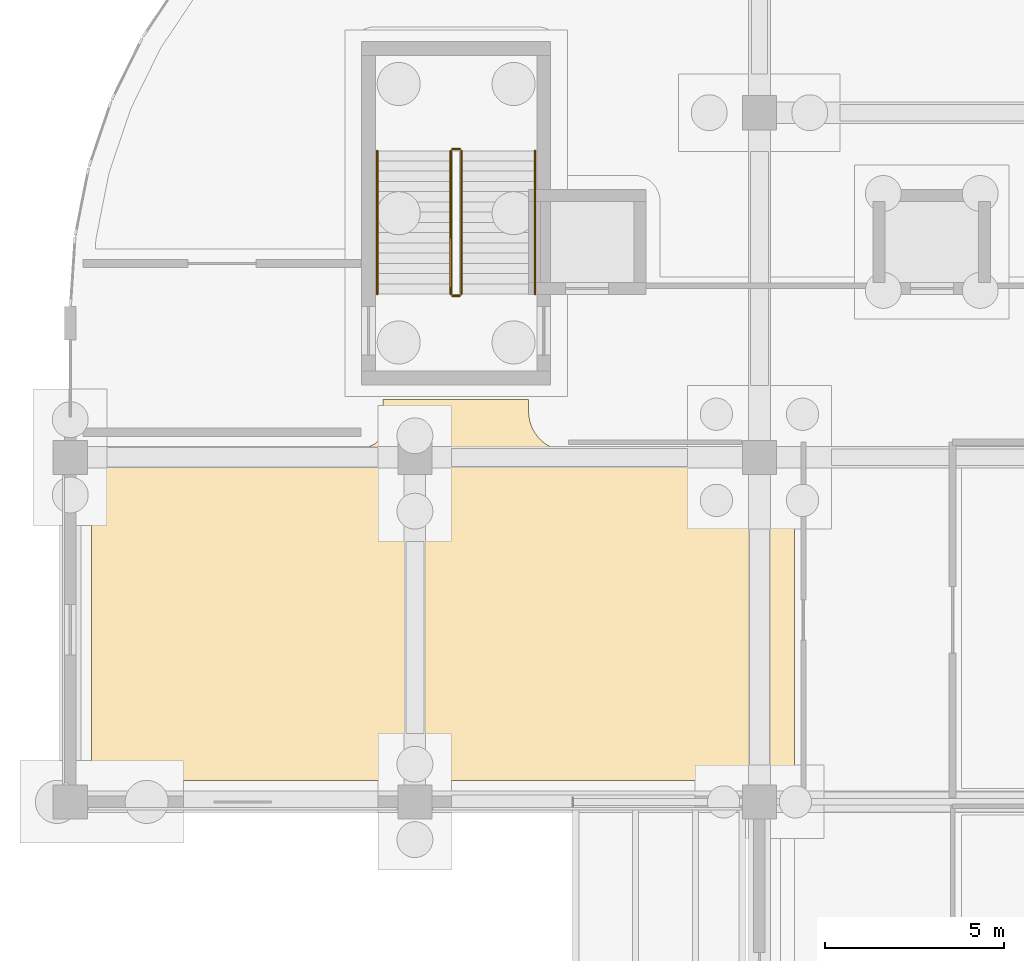
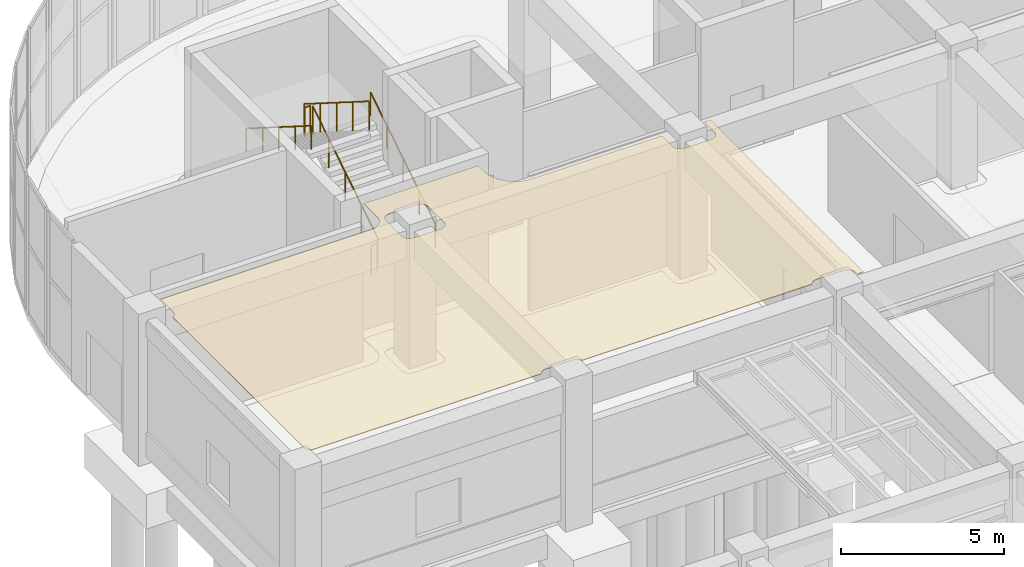
# One storey, part 62 of 74: 6 railings, 1 covering.
"""IFC4 building model written with IfcOpenShell, lengths in metres."""

import ifcopenshell
import ifcopenshell.guid

model = None  # the IFC model being written
_history = None  # IfcOwnerHistory: only IFC2X3 demands one
_inside = {}  # id of a spatial element -> (the spatial element, [elements in it])
_under = {}  # id of a project, library or spatial element -> (it, [spatial elements below it])
_declared = {}  # id of a project -> (the project, [libraries it declares])
_typed = {}  # id of a type object -> (the type object, [elements of that type])
_made_of = {}  # id of a material, layer set ... -> (it, [elements and type objects made of it])


def new_model(schema):
    """Start an empty IFC model of exactly this schema.

    Asked for "IFC4X3", IfcOpenShell would pick the latest addendum, in which some entities
    have other attributes; the version numbers below select the first issue.
    IFC2X3 requires an IfcOwnerHistory on every rooted entity: one is made here for all.
    """
    global model, _history
    if schema == "IFC4X3":
        model = ifcopenshell.file(schema_version=(4, 3, 0, 0))
    else:
        model = ifcopenshell.file(schema=schema)
    _inside.clear()
    _under.clear()
    _declared.clear()
    _typed.clear()
    _made_of.clear()
    _history = None
    if model.schema == "IFC2X3":
        org = make("IfcOrganization", Name="unknown")
        user = make(
            "IfcPersonAndOrganization",
            ThePerson=make("IfcPerson", FamilyName="unknown"),
            TheOrganization=org,
        )
        app = make(
            "IfcApplication",
            ApplicationDeveloper=org,
            Version="unknown",
            ApplicationFullName="unknown",
            ApplicationIdentifier="unknown",
        )
        _history = make(
            "IfcOwnerHistory",
            OwningUser=user,
            OwningApplication=app,
            ChangeAction="ADDED",
            CreationDate=0,
        )
    return model


def make(cls, **values):
    """One entity of the class cls with the attributes given. An attribute that is None is left unset."""
    return model.create_entity(
        cls, **{name: value for name, value in values.items() if value is not None}
    )


def rooted(cls, **values):
    """An entity with a GlobalId (a new one), such as an element, a storey or a relation."""
    return make(cls, GlobalId=ifcopenshell.guid.new(), OwnerHistory=_history, **values)


def si_unit(unit_type, name, prefix=None):
    """IfcSIUnit, for example si_unit("LENGTHUNIT", "METRE", prefix="MILLI")."""
    return make("IfcSIUnit", UnitType=unit_type, Prefix=prefix, Name=name)


def assignment(units):
    """IfcUnitAssignment: the units of a project."""
    return None if units is None else make("IfcUnitAssignment", Units=units)


def point(xyz):
    """IfcCartesianPoint."""
    return None if xyz is None else make("IfcCartesianPoint", Coordinates=xyz)


def direction(xyz):
    """IfcDirection."""
    return None if xyz is None else make("IfcDirection", DirectionRatios=xyz)


def frame(location, z_axis=None, x_axis=None):
    """IfcAxis2Placement3D, a coordinate frame: its origin and axes. An axis left out is left unset."""
    return make(
        "IfcAxis2Placement3D",
        Location=point(location),
        Axis=direction(z_axis),
        RefDirection=direction(x_axis),
    )


def frame_2d(location, x_axis=None):
    """IfcAxis2Placement2D, a coordinate frame in the plane: its origin and x axis."""
    return make(
        "IfcAxis2Placement2D", Location=point(location), RefDirection=direction(x_axis)
    )


def origin():
    """The frame at (0, 0, 0) with its axes left unset."""
    return frame((0.0, 0.0, 0.0))


def origin_2d():
    """The frame at (0, 0) in the plane with its x axis left unset."""
    return frame_2d((0.0, 0.0))


def place(relative_to, where):
    """IfcLocalPlacement: puts the frame where relative to a parent placement (None: the world)."""
    return make(
        "IfcLocalPlacement", PlacementRelTo=relative_to, RelativePlacement=where
    )


def context(
    kind, dimensions, precision=None, world=None, true_north=None, identifier=None
):
    """IfcGeometricRepresentationContext, for example the 3D "Model" context."""
    return make(
        "IfcGeometricRepresentationContext",
        ContextIdentifier=identifier,
        ContextType=kind,
        CoordinateSpaceDimension=dimensions,
        Precision=precision,
        WorldCoordinateSystem=world,
        TrueNorth=true_north,
    )


def subcontext(parent, identifier, kind, view, scale=None):
    """IfcGeometricRepresentationSubContext, for example "Body" below "Model"."""
    return make(
        "IfcGeometricRepresentationSubContext",
        ContextIdentifier=identifier,
        ContextType=kind,
        ParentContext=parent,
        TargetScale=scale,
        TargetView=view,
    )


def project(units=None, contexts=None):
    """IfcProject with its units and contexts."""
    return rooted(
        "IfcProject",
        Name="project",
        RepresentationContexts=contexts,
        UnitsInContext=assignment(units),
    )


def spatial(cls, under=None, at=None, **own):
    """A site, building, storey or space (cls), placed at a placement, below another one or the project."""
    s = rooted(cls, ObjectPlacement=at, **own)
    if under is not None:
        _under.setdefault(under.id(), (under, []))[1].append(s)
    return s


def polyline(points):
    """IfcPolyline through the points."""
    return make("IfcPolyline", Points=[point(p) for p in points])


def profile(cls, at=None, kind="AREA", **sizes):
    """A parametric profile (cls). Its sizes go by their IFC names, for example OverallWidth=200.0."""
    return make(cls, ProfileType=kind, Position=at, **sizes)


def circle(**sizes):
    """IfcCircleProfileDef."""
    return profile("IfcCircleProfileDef", **sizes)


def outline(outer, holes=None, kind="AREA"):
    """IfcArbitraryClosedProfileDef: a profile drawn as a closed curve; with holes, ...WithVoids."""
    if holes is None:
        return make("IfcArbitraryClosedProfileDef", ProfileType=kind, OuterCurve=outer)
    return make(
        "IfcArbitraryProfileDefWithVoids",
        ProfileType=kind,
        OuterCurve=outer,
        InnerCurves=holes,
    )


def extrude(swept, where, along, depth):
    """IfcExtrudedAreaSolid: the profile swept, set in the frame where, extruded along a direction by depth."""
    return make(
        "IfcExtrudedAreaSolid",
        SweptArea=swept,
        Position=where,
        ExtrudedDirection=direction(along),
        Depth=depth,
    )


def shape(context_of_items, identifier, shape_type, items):
    """IfcShapeRepresentation: the items that make up one representation, for example the "Body"."""
    return make(
        "IfcShapeRepresentation",
        ContextOfItems=context_of_items,
        RepresentationIdentifier=identifier,
        RepresentationType=shape_type,
        Items=items,
    )


def material(Name=None, Category=None):
    """IfcMaterial."""
    return make("IfcMaterial", Name=Name, Category=Category)


def layer(
    of_material, thickness, ventilated=None, Name=None, Category=None, Priority=None
):
    """IfcMaterialLayer: one layer of a wall or slab, of a material (None: an air gap)."""
    return make(
        "IfcMaterialLayer",
        Material=of_material,
        LayerThickness=thickness,
        IsVentilated=ventilated,
        Name=Name,
        Category=Category,
        Priority=Priority,
    )


def layer_set(layers, Name=None):
    """IfcMaterialLayerSet."""
    return make("IfcMaterialLayerSet", MaterialLayers=layers, LayerSetName=Name)


def made_of(thing, what):
    """Note that an element or type object is made of a material, layer set ...; save() writes the relation."""
    if what is not None:
        _made_of.setdefault(what.id(), (what, []))[1].append(thing)
    return thing


def type_object(cls, material=None, **own):
    """A type object (cls), such as IfcWallType, which elements share."""
    return made_of(rooted(cls, **own), material)


def element(
    cls,
    number,
    at=None,
    inside=None,
    cuts=None,
    type_object=None,
    material=None,
    context=None,
    identifier="Body",
    shape_type=None,
    held_by="IfcProductDefinitionShape",
    body=None,
    shapes=None,
    **own,
):
    """One element of the class cls, such as IfcWall. Its Tag is "e" and its number.

    at: its placement. inside: the storey or other place that contains it. cuts: it is an
    opening in that element (IfcRelVoidsElement). A single representation is given by context,
    identifier, shape_type and body (its items); several are given by shapes. held_by: the class
    of the entity that holds the representations. save() writes the other relations.
    """
    e = rooted(cls, Tag="e%d" % number, ObjectPlacement=at, **own)
    if body is not None:
        shapes = [shape(context, identifier, shape_type, body)]
    if shapes is not None:
        e.Representation = make(held_by, Representations=shapes)
    if inside is not None:
        _inside.setdefault(inside.id(), (inside, []))[1].append(e)
    if cuts is not None:
        rooted(
            "IfcRelVoidsElement", RelatingBuildingElement=cuts, RelatedOpeningElement=e
        )
    if type_object is not None:
        _typed.setdefault(type_object.id(), (type_object, []))[1].append(e)
    return made_of(e, material)


def aggregate(whole, parts):
    """IfcRelAggregates: a whole, such as a stair, and the parts it consists of."""
    return rooted("IfcRelAggregates", RelatingObject=whole, RelatedObjects=parts)


def save(model, path):
    """Write the relations noted so far, then the file.

    IfcRelAggregates (storeys below a building ...), IfcRelContainedInSpatialStructure (elements
    in a storey), IfcRelDefinesByType, IfcRelAssociatesMaterial and IfcRelDeclares: one each for
    every whole, place, type object, material and project.
    """
    for whole, parts in _under.values():
        aggregate(whole, parts)
    for where, things in _inside.values():
        rooted(
            "IfcRelContainedInSpatialStructure",
            RelatedElements=things,
            RelatingStructure=where,
        )
    for kind, things in _typed.values():
        rooted("IfcRelDefinesByType", RelatedObjects=things, RelatingType=kind)
    for what, things in _made_of.values():
        rooted("IfcRelAssociatesMaterial", RelatedObjects=things, RelatingMaterial=what)
    for by, libraries in _declared.values():
        rooted("IfcRelDeclares", RelatingContext=by, RelatedDefinitions=libraries)
    model.write(path)


model = new_model("IFC4")

# Units and contexts
model_context = context("Model", 3, precision=1e-05, world=origin(), true_north=direction((0.0, 1.0)))
body_context = subcontext(model_context, "Body", "Model", "MODEL_VIEW")
ifc_project = project(units=[si_unit("LENGTHUNIT", "METRE"), si_unit("AREAUNIT", "SQUARE_METRE"), si_unit("VOLUMEUNIT", "CUBIC_METRE"), si_unit("PLANEANGLEUNIT", "RADIAN"), si_unit("MASSUNIT", "GRAM", prefix="KILO")], contexts=[model_context])

# Site, building, storey
site_placement = place(None, origin())
site = spatial("IfcSite", under=ifc_project, at=site_placement, CompositionType="ELEMENT")
building_placement = place(site_placement, origin())
building = spatial("IfcBuilding", under=site, at=building_placement, Name="Cendralis Terraced Arcade", CompositionType="ELEMENT")
storey_placement = place(building_placement, origin())
storey = spatial("IfcBuildingStorey", under=building, at=storey_placement, Name="L00", CompositionType="ELEMENT", Elevation=0.0)

# Covering
ifc_material_1 = material(Name="Gypsum plasterboard acoustic partition")
ifc_layer = layer(ifc_material_1, 0.02490234375, Name="COV-CEIL-ACOU-25")
ifc_layer_set = layer_set([ifc_layer], Name="Gypsum plasterboard acoustic partition")
covering_type = type_object("IfcCoveringType", Name="COV-CEIL-ACOU-25", PredefinedType="CEILING", material=ifc_layer_set)
covering_placement = place(storey_placement, frame((0.0, 0.0, 5.06494140625)))
element("IfcCovering", 1, at=covering_placement, inside=storey, type_object=covering_type, Name="Acoustic Soffit Ceiling L00-036", PredefinedType="CEILING", context=body_context, shape_type="SweptSolid", body=[
    extrude(outline(polyline([(0.590087890625, 68.880615234375), (0.59130859375, 68.88134765625), (0.613037109375, 68.892822265625), (0.614501953125, 68.893798828125), (0.635009765625, 68.90771484375), (0.63671875, 68.90869140625), (0.655517578125, 68.92431640625), (0.656982421875, 68.925537109375), (0.67431640625, 68.943115234375), (0.67578125, 68.9443359375), (0.69140625, 68.96337890625), (0.6923828125, 68.965087890625), (0.7060546875, 68.9853515625), (0.70703125, 68.987060546875), (0.718505859375, 69.0087890625), (0.719482421875, 69.010498046875), (0.72900390625, 69.033203125), (0.7294921875, 69.034912109375), (0.736572265625, 69.058349609375), (0.737060546875, 69.060302734375), (0.741943359375, 69.08447265625), (0.7421875, 69.08642578125), (0.74462890625, 69.11083984375), (0.74462890625, 69.11279296875), (0.7451171875, 69.125), (0.7451171875, 69.889892578125), (8.199951171875, 69.889892578125), (8.2060546875, 69.89013671875), (8.2119140625, 69.89013671875), (8.21826171875, 69.890380859375), (8.23193359375, 69.89111328125), (8.244140625, 69.89208984375), (8.255859375, 69.893310546875), (8.26806640625, 69.894775390625), (8.281494140625, 69.896728515625), (8.293701171875, 69.898681640625), (8.30517578125, 69.901123046875), (8.317138671875, 69.90380859375), (8.33056640625, 69.906982421875), (8.34228515625, 69.910400390625), (8.353515625, 69.913818359375), (8.365234375, 69.917724609375), (8.378173828125, 69.92236328125), (8.3896484375, 69.9267578125), (8.400634765625, 69.93115234375), (8.411865234375, 69.936279296875), (8.42431640625, 69.942138671875), (8.435302734375, 69.947509765625), (8.445556640625, 69.953125), (8.456298828125, 69.959228515625), (8.468017578125, 69.96630859375), (8.478515625, 69.972900390625), (8.48828125, 69.979248046875), (8.498291015625, 69.986328125), (8.50927734375, 69.99462890625), (8.518798828125, 70.002197265625), (8.528076171875, 70.009521484375), (8.537353515625, 70.017578125), (8.547607421875, 70.02685546875), (8.556396484375, 70.035400390625), (8.564697265625, 70.043701171875), (8.572998046875, 70.052490234375), (8.58251953125, 70.062744140625), (8.59033203125, 70.072021484375), (8.597900390625, 70.0810546875), (8.60546875, 70.0908203125), (8.613525390625, 70.101806640625), (8.62060546875, 70.11181640625), (8.627197265625, 70.12158203125), (8.6337890625, 70.132080078125), (8.640869140625, 70.143798828125), (8.64697265625, 70.154541015625), (8.65234375, 70.164794921875), (8.657958984375, 70.17578125), (8.663818359375, 70.188232421875), (8.668701171875, 70.199462890625), (8.67333984375, 70.210205078125), (8.677734375, 70.2216796875), (8.682373046875, 70.234619140625), (8.686279296875, 70.246337890625), (8.689697265625, 70.257568359375), (8.69287109375, 70.26953125), (8.6962890625, 70.28271484375), (8.698974609375, 70.294921875), (8.701171875, 70.306396484375), (8.703369140625, 70.318359375), (8.705322265625, 70.33203125), (8.706787109375, 70.34423828125), (8.7080078125, 70.35595703125), (8.708984375, 70.3681640625), (8.709716796875, 70.3818359375), (8.709716796875, 70.387939453125), (8.7099609375, 70.393798828125), (8.7099609375, 70.39990234375), (8.7099609375, 71.2099609375), (12.77001953125, 71.2099609375), (12.77001953125, 70.8798828125), (12.77001953125, 70.876953125), (12.77001953125, 70.8740234375), (12.77001953125, 70.870849609375), (12.770263671875, 70.864990234375), (12.7705078125, 70.862060546875), (12.7705078125, 70.85888671875), (12.7705078125, 70.85595703125), (12.773681640625, 70.795166015625), (12.77392578125, 70.7890625), (12.7744140625, 70.783203125), (12.77490234375, 70.777099609375), (12.776123046875, 70.765380859375), (12.776611328125, 70.75927734375), (12.777587890625, 70.75341796875), (12.7783203125, 70.747314453125), (12.787109375, 70.68701171875), (12.7880859375, 70.68115234375), (12.789306640625, 70.67529296875), (12.790283203125, 70.669189453125), (12.79248046875, 70.65771484375), (12.7939453125, 70.651611328125), (12.795166015625, 70.64599609375), (12.796630859375, 70.639892578125), (12.811279296875, 70.5810546875), (12.81298828125, 70.574951171875), (12.814453125, 70.5693359375), (12.816162109375, 70.5634765625), (12.819580078125, 70.55224609375), (12.821533203125, 70.54638671875), (12.8232421875, 70.540771484375), (12.8251953125, 70.534912109375), (12.845703125, 70.477783203125), (12.847900390625, 70.471923828125), (12.85009765625, 70.46630859375), (12.852294921875, 70.460693359375), (12.85693359375, 70.44970703125), (12.859375, 70.444091796875), (12.86181640625, 70.438720703125), (12.8642578125, 70.43310546875), (12.890380859375, 70.378173828125), (12.892822265625, 70.372802734375), (12.8955078125, 70.367431640625), (12.8984375, 70.362060546875), (12.904052734375, 70.3515625), (12.906982421875, 70.34619140625), (12.909912109375, 70.341064453125), (12.912841796875, 70.335693359375), (12.944091796875, 70.28369140625), (12.947509765625, 70.2783203125), (12.95068359375, 70.2734375), (12.953857421875, 70.268310546875), (12.96044921875, 70.258544921875), (12.9638671875, 70.25341796875), (12.96728515625, 70.24853515625), (12.970947265625, 70.24365234375), (13.007080078125, 70.19482421875), (13.010986328125, 70.18994140625), (13.014404296875, 70.185302734375), (13.018310546875, 70.180419921875), (13.02587890625, 70.17138671875), (13.02978515625, 70.166748046875), (13.03369140625, 70.162109375), (13.03759765625, 70.15771484375), (13.07861328125, 70.112548828125), (13.082763671875, 70.10791015625), (13.0869140625, 70.103759765625), (13.091064453125, 70.099365234375), (13.099365234375, 70.091064453125), (13.103759765625, 70.0869140625), (13.10791015625, 70.082763671875), (13.112548828125, 70.07861328125), (13.15771484375, 70.03759765625), (13.162109375, 70.03369140625), (13.166748046875, 70.02978515625), (13.17138671875, 70.02587890625), (13.180419921875, 70.018310546875), (13.185302734375, 70.014404296875), (13.18994140625, 70.010986328125), (13.19482421875, 70.007080078125), (13.24365234375, 69.970947265625), (13.24853515625, 69.96728515625), (13.25341796875, 69.9638671875), (13.258544921875, 69.96044921875), (13.268310546875, 69.953857421875), (13.2734375, 69.95068359375), (13.2783203125, 69.947509765625), (13.28369140625, 69.944091796875), (13.335693359375, 69.912841796875), (13.341064453125, 69.909912109375), (13.34619140625, 69.906982421875), (13.3515625, 69.904052734375), (13.362060546875, 69.8984375), (13.367431640625, 69.8955078125), (13.372802734375, 69.892822265625), (13.378173828125, 69.890380859375), (13.43310546875, 69.8642578125), (13.438720703125, 69.86181640625), (13.444091796875, 69.859375), (13.44970703125, 69.85693359375), (13.460693359375, 69.852294921875), (13.46630859375, 69.85009765625), (13.471923828125, 69.847900390625), (13.477783203125, 69.845703125), (13.534912109375, 69.8251953125), (13.540771484375, 69.8232421875), (13.54638671875, 69.821533203125), (13.55224609375, 69.819580078125), (13.5634765625, 69.816162109375), (13.5693359375, 69.814453125), (13.574951171875, 69.81298828125), (13.5810546875, 69.811279296875), (13.639892578125, 69.796630859375), (13.64599609375, 69.795166015625), (13.651611328125, 69.7939453125), (13.65771484375, 69.79248046875), (13.669189453125, 69.790283203125), (13.67529296875, 69.789306640625), (13.68115234375, 69.7880859375), (13.68701171875, 69.787109375), (13.747314453125, 69.7783203125), (13.75341796875, 69.777587890625), (13.75927734375, 69.776611328125), (13.765380859375, 69.776123046875), (13.777099609375, 69.77490234375), (13.783203125, 69.7744140625), (13.7890625, 69.77392578125), (13.795166015625, 69.773681640625), (13.85595703125, 69.7705078125), (13.85888671875, 69.7705078125), (13.862060546875, 69.7705078125), (13.864990234375, 69.770263671875), (13.870849609375, 69.77001953125), (13.8740234375, 69.77001953125), (13.876953125, 69.77001953125), (13.8798828125, 69.77001953125), (18.455078125, 69.77001953125), (18.455078125, 69.125), (18.455322265625, 69.11279296875), (18.455322265625, 69.11083984375), (18.457763671875, 69.08642578125), (18.4580078125, 69.08447265625), (18.462890625, 69.060302734375), (18.46337890625, 69.058349609375), (18.470458984375, 69.034912109375), (18.47119140625, 69.033203125), (18.48046875, 69.010498046875), (18.4814453125, 69.0087890625), (18.492919921875, 68.987060546875), (18.493896484375, 68.9853515625), (18.507568359375, 68.965087890625), (18.5087890625, 68.96337890625), (18.5244140625, 68.9443359375), (18.525634765625, 68.943115234375), (18.54296875, 68.925537109375), (18.54443359375, 68.92431640625), (18.5634765625, 68.90869140625), (18.56494140625, 68.90771484375), (18.58544921875, 68.893798828125), (18.5869140625, 68.892822265625), (18.608642578125, 68.88134765625), (18.610595703125, 68.880615234375), (18.633056640625, 68.87109375), (18.635009765625, 68.87060546875), (18.658447265625, 68.86328125), (18.660400390625, 68.86279296875), (18.684326171875, 68.858154296875), (18.686279296875, 68.85791015625), (18.710693359375, 68.85546875), (18.712646484375, 68.855224609375), (18.72509765625, 68.85498046875), (19.675048828125, 68.85498046875), (19.687255859375, 68.855224609375), (19.689208984375, 68.85546875), (19.713623046875, 68.85791015625), (19.715576171875, 68.858154296875), (19.739501953125, 68.86279296875), (19.74169921875, 68.86328125), (19.764892578125, 68.87060546875), (19.766845703125, 68.87109375), (19.78955078125, 68.880615234375), (19.791259765625, 68.88134765625), (19.81298828125, 68.892822265625), (19.814697265625, 68.893798828125), (19.8349609375, 68.90771484375), (19.836669921875, 68.90869140625), (19.855712890625, 68.92431640625), (19.85693359375, 68.925537109375), (19.87451171875, 68.943115234375), (19.875732421875, 68.9443359375), (19.891357421875, 68.96337890625), (19.892333984375, 68.965087890625), (19.906005859375, 68.9853515625), (19.906982421875, 68.987060546875), (19.918701171875, 69.0087890625), (19.91943359375, 69.010498046875), (19.928955078125, 69.033203125), (19.929443359375, 69.034912109375), (19.9365234375, 69.058349609375), (19.93701171875, 69.060302734375), (19.94189453125, 69.08447265625), (19.942138671875, 69.08642578125), (19.944580078125, 69.11083984375), (19.944580078125, 69.11279296875), (19.945068359375, 69.125), (19.945068359375, 69.77001953125), (20.169921875, 69.77001953125), (20.169921875, 60.3701171875), (19.945068359375, 60.3701171875), (19.945068359375, 60.47509765625), (19.944580078125, 60.4873046875), (19.944580078125, 60.4892578125), (19.942138671875, 60.513671875), (19.94189453125, 60.515625), (19.93701171875, 60.53955078125), (19.9365234375, 60.54150390625), (19.929443359375, 60.56494140625), (19.928955078125, 60.56689453125), (19.91943359375, 60.589599609375), (19.918701171875, 60.59130859375), (19.906982421875, 60.613037109375), (19.906005859375, 60.614501953125), (19.892333984375, 60.635009765625), (19.891357421875, 60.63671875), (19.875732421875, 60.655517578125), (19.87451171875, 60.656982421875), (19.85693359375, 60.67431640625), (19.855712890625, 60.67578125), (19.836669921875, 60.69140625), (19.8349609375, 60.6923828125), (19.814697265625, 60.7060546875), (19.81298828125, 60.70703125), (19.791259765625, 60.718505859375), (19.78955078125, 60.719482421875), (19.766845703125, 60.72900390625), (19.764892578125, 60.7294921875), (19.74169921875, 60.736572265625), (19.739501953125, 60.737060546875), (19.715576171875, 60.741943359375), (19.713623046875, 60.7421875), (19.689208984375, 60.74462890625), (19.687255859375, 60.74462890625), (19.675048828125, 60.7451171875), (18.72509765625, 60.7451171875), (18.712646484375, 60.74462890625), (18.710693359375, 60.74462890625), (18.686279296875, 60.7421875), (18.684326171875, 60.741943359375), (18.660400390625, 60.737060546875), (18.658447265625, 60.736572265625), (18.635009765625, 60.7294921875), (18.633056640625, 60.72900390625), (18.610595703125, 60.719482421875), (18.608642578125, 60.718505859375), (18.5869140625, 60.70703125), (18.58544921875, 60.7060546875), (18.56494140625, 60.6923828125), (18.5634765625, 60.69140625), (18.54443359375, 60.67578125), (18.54296875, 60.67431640625), (18.525634765625, 60.656982421875), (18.5244140625, 60.655517578125), (18.5087890625, 60.63671875), (18.507568359375, 60.635009765625), (18.493896484375, 60.614501953125), (18.492919921875, 60.613037109375), (18.4814453125, 60.59130859375), (18.480712890625, 60.590087890625), (10.3193359375, 60.590087890625), (10.318603515625, 60.59130859375), (10.30712890625, 60.613037109375), (10.30615234375, 60.614501953125), (10.29248046875, 60.635009765625), (10.291259765625, 60.63671875), (10.275634765625, 60.655517578125), (10.2744140625, 60.656982421875), (10.257080078125, 60.67431640625), (10.255615234375, 60.67578125), (10.236572265625, 60.69140625), (10.235107421875, 60.6923828125), (10.214599609375, 60.7060546875), (10.212890625, 60.70703125), (10.19140625, 60.718505859375), (10.189453125, 60.719482421875), (10.1669921875, 60.72900390625), (10.1650390625, 60.7294921875), (10.1416015625, 60.736572265625), (10.1396484375, 60.737060546875), (10.115478515625, 60.741943359375), (10.113525390625, 60.7421875), (10.089111328125, 60.74462890625), (10.08740234375, 60.74462890625), (10.074951171875, 60.7451171875), (9.125, 60.7451171875), (9.11279296875, 60.74462890625), (9.11083984375, 60.74462890625), (9.08642578125, 60.7421875), (9.08447265625, 60.741943359375), (9.060302734375, 60.737060546875), (9.058349609375, 60.736572265625), (9.034912109375, 60.7294921875), (9.033203125, 60.72900390625), (9.010498046875, 60.719482421875), (9.0087890625, 60.718505859375), (8.987060546875, 60.70703125), (8.9853515625, 60.7060546875), (8.965087890625, 60.6923828125), (8.96337890625, 60.69140625), (8.9443359375, 60.67578125), (8.943115234375, 60.67431640625), (8.925537109375, 60.656982421875), (8.92431640625, 60.655517578125), (8.90869140625, 60.63671875), (8.90771484375, 60.635009765625), (8.893798828125, 60.614501953125), (8.892822265625, 60.613037109375), (8.88134765625, 60.59130859375), (8.880615234375, 60.590087890625), (0.71923828125, 60.590087890625), (0.718505859375, 60.59130859375), (0.70703125, 60.613037109375), (0.7060546875, 60.614501953125), (0.6923828125, 60.635009765625), (0.69140625, 60.63671875), (0.67578125, 60.655517578125), (0.67431640625, 60.656982421875), (0.656982421875, 60.67431640625), (0.655517578125, 60.67578125), (0.63671875, 60.69140625), (0.635009765625, 60.6923828125), (0.614501953125, 60.7060546875), (0.613037109375, 60.70703125), (0.59130859375, 60.718505859375), (0.590087890625, 60.71923828125), (0.590087890625, 68.880615234375)]), holes=[polyline([(8.9853515625, 68.893798828125), (8.987060546875, 68.892822265625), (9.0087890625, 68.88134765625), (9.010498046875, 68.880615234375), (9.033203125, 68.87109375), (9.034912109375, 68.87060546875), (9.058349609375, 68.86328125), (9.060302734375, 68.86279296875), (9.08447265625, 68.858154296875), (9.08642578125, 68.85791015625), (9.11083984375, 68.85546875), (9.11279296875, 68.855224609375), (9.125, 68.85498046875), (10.074951171875, 68.85498046875), (10.08740234375, 68.855224609375), (10.089111328125, 68.85546875), (10.113525390625, 68.85791015625), (10.115478515625, 68.858154296875), (10.1396484375, 68.86279296875), (10.1416015625, 68.86328125), (10.1650390625, 68.87060546875), (10.1669921875, 68.87109375), (10.189453125, 68.880615234375), (10.19140625, 68.88134765625), (10.212890625, 68.892822265625), (10.214599609375, 68.893798828125), (10.235107421875, 68.90771484375), (10.236572265625, 68.90869140625), (10.255615234375, 68.92431640625), (10.257080078125, 68.925537109375), (10.2744140625, 68.943115234375), (10.275634765625, 68.9443359375), (10.291259765625, 68.96337890625), (10.29248046875, 68.965087890625), (10.30615234375, 68.9853515625), (10.30712890625, 68.987060546875), (10.318603515625, 69.0087890625), (10.319580078125, 69.010498046875), (10.328857421875, 69.033203125), (10.32958984375, 69.034912109375), (10.336669921875, 69.058349609375), (10.337158203125, 69.060302734375), (10.341796875, 69.08447265625), (10.34228515625, 69.08642578125), (10.344482421875, 69.11083984375), (10.3447265625, 69.11279296875), (10.344970703125, 69.125), (10.344970703125, 70.074951171875), (10.3447265625, 70.08740234375), (10.344482421875, 70.089111328125), (10.34228515625, 70.113525390625), (10.341796875, 70.115478515625), (10.337158203125, 70.1396484375), (10.336669921875, 70.1416015625), (10.32958984375, 70.1650390625), (10.328857421875, 70.1669921875), (10.319580078125, 70.189453125), (10.318603515625, 70.19140625), (10.30712890625, 70.212890625), (10.30615234375, 70.214599609375), (10.29248046875, 70.235107421875), (10.291259765625, 70.236572265625), (10.275634765625, 70.255615234375), (10.2744140625, 70.257080078125), (10.257080078125, 70.2744140625), (10.255615234375, 70.275634765625), (10.236572265625, 70.291259765625), (10.235107421875, 70.29248046875), (10.214599609375, 70.30615234375), (10.212890625, 70.30712890625), (10.19140625, 70.318603515625), (10.189453125, 70.319580078125), (10.1669921875, 70.328857421875), (10.1650390625, 70.32958984375), (10.1416015625, 70.336669921875), (10.1396484375, 70.337158203125), (10.115478515625, 70.341796875), (10.113525390625, 70.34228515625), (10.089111328125, 70.344482421875), (10.08740234375, 70.3447265625), (10.074951171875, 70.344970703125), (9.125, 70.344970703125), (9.11279296875, 70.3447265625), (9.11083984375, 70.344482421875), (9.08642578125, 70.34228515625), (9.08447265625, 70.341796875), (9.060302734375, 70.337158203125), (9.058349609375, 70.336669921875), (9.034912109375, 70.32958984375), (9.033203125, 70.328857421875), (9.010498046875, 70.319580078125), (9.0087890625, 70.318603515625), (8.987060546875, 70.30712890625), (8.9853515625, 70.30615234375), (8.965087890625, 70.29248046875), (8.96337890625, 70.291259765625), (8.9443359375, 70.275634765625), (8.943115234375, 70.2744140625), (8.925537109375, 70.257080078125), (8.92431640625, 70.255615234375), (8.90869140625, 70.236572265625), (8.90771484375, 70.235107421875), (8.893798828125, 70.214599609375), (8.892822265625, 70.212890625), (8.88134765625, 70.19140625), (8.880615234375, 70.189453125), (8.87109375, 70.1669921875), (8.87060546875, 70.1650390625), (8.86328125, 70.1416015625), (8.86279296875, 70.1396484375), (8.858154296875, 70.115478515625), (8.85791015625, 70.113525390625), (8.85546875, 70.089111328125), (8.855224609375, 70.08740234375), (8.85498046875, 70.074951171875), (8.85498046875, 69.125), (8.855224609375, 69.11279296875), (8.85546875, 69.11083984375), (8.85791015625, 69.08642578125), (8.858154296875, 69.08447265625), (8.86279296875, 69.060302734375), (8.86328125, 69.058349609375), (8.87060546875, 69.034912109375), (8.87109375, 69.033203125), (8.880615234375, 69.010498046875), (8.88134765625, 69.0087890625), (8.892822265625, 68.987060546875), (8.893798828125, 68.9853515625), (8.90771484375, 68.965087890625), (8.90869140625, 68.96337890625), (8.92431640625, 68.9443359375), (8.925537109375, 68.943115234375), (8.943115234375, 68.925537109375), (8.9443359375, 68.92431640625), (8.96337890625, 68.90869140625), (8.965087890625, 68.90771484375), (8.9853515625, 68.893798828125)])]), origin(), (0.0, 0.0, 1.0), 0.025146484375),
])

# Railings
ifc_material_2 = material(Name="Brushed stainless steel AISI 316", Category="steel")
railing_type_1 = type_object("IfcRailingType", Name="RL-STAIR-GUARD-1100", PredefinedType="GUARDRAIL", material=ifc_material_2)
railing_1_placement = place(storey_placement, frame((10.89990234375, 74.14990234375, 0.179931640625)))
element("IfcRailing", 2, at=railing_1_placement, inside=storey, type_object=railing_type_1, Name="L00 ST-07 stair guard 1", PredefinedType="GUARDRAIL", context=body_context, shape_type="SweptSolid", body=[
    extrude(circle(Radius=0.02392578125, at=origin_2d()), frame((0.0, 0.0, 1.076171875), z_axis=(0.0, 0.845486444383, 0.533996884227), x_axis=(-1.0, 0.0, 0.0)), (0.0, 0.0, 1.0), 4.71923828125),
    extrude(circle(Radius=0.02099609375, at=origin_2d()), origin(), (0.0, 0.0, 1.0), 1.052001953125),
    extrude(circle(Radius=0.02099609375, at=origin_2d()), frame((0.0, 0.99755859375, 0.6298828125)), (0.0, 0.0, 1.0), 1.052001953125),
    extrude(circle(Radius=0.02099609375, at=origin_2d()), frame((0.0, 1.9951171875, 1.260009765625)), (0.0, 0.0, 1.0), 1.052001953125),
    extrude(circle(Radius=0.02099609375, at=origin_2d()), frame((0.0, 2.992431640625, 1.89013671875)), (0.0, 0.0, 1.0), 1.052001953125),
    extrude(circle(Radius=0.02099609375, at=origin_2d()), frame((0.0, 3.989990234375, 2.52001953125)), (0.0, 0.0, 1.0), 1.052001953125),
])
railing_2_placement = place(storey_placement, frame((10.85009765625, 78.18994140625, 2.699951171875)))
element("IfcRailing", 3, at=railing_2_placement, inside=storey, type_object=railing_type_1, Name="L00 ST-07 stair guard 2", PredefinedType="GUARDRAIL", context=body_context, shape_type="SweptSolid", body=[
    extrude(circle(Radius=0.02392578125, at=origin_2d()), frame((0.0, 0.0, 1.076171875), z_axis=(-1.0, 0.0, 0.0), x_axis=(0.0, -1.0, 0.0)), (0.0, 0.0, 1.0), 0.2001953125),
    extrude(circle(Radius=0.02099609375, at=origin_2d()), origin(), (0.0, 0.0, 1.0), 1.052001953125),
    extrude(circle(Radius=0.02099609375, at=origin_2d()), frame((-0.2001953125, 0.0, 0.0)), (0.0, 0.0, 1.0), 1.052001953125),
])
railing_3_placement = place(storey_placement, frame((10.60009765625, 78.139892578125, 2.8798828125)))
element("IfcRailing", 4, at=railing_3_placement, inside=storey, type_object=railing_type_1, Name="L00 ST-07 stair guard 3", PredefinedType="GUARDRAIL", context=body_context, shape_type="SweptSolid", body=[
    extrude(circle(Radius=0.02392578125, at=origin_2d()), frame((0.0, 0.0, 1.076171875), z_axis=(0.0, -0.845486444383, 0.533996884227), x_axis=(1.0, 0.0, 0.0)), (0.0, 0.0, 1.0), 4.71923828125),
    extrude(circle(Radius=0.02099609375, at=origin_2d()), origin(), (0.0, 0.0, 1.0), 1.052001953125),
    extrude(circle(Radius=0.02099609375, at=origin_2d()), frame((0.0, -0.99755859375, 0.6298828125)), (0.0, 0.0, 1.0), 1.052001953125),
    extrude(circle(Radius=0.02099609375, at=origin_2d()), frame((0.0, -1.9951171875, 1.260009765625)), (0.0, 0.0, 1.0), 1.052001953125),
    extrude(circle(Radius=0.02099609375, at=origin_2d()), frame((0.0, -2.992431640625, 1.89013671875)), (0.0, 0.0, 1.0), 1.052001953125),
    extrude(circle(Radius=0.02099609375, at=origin_2d()), frame((0.0, -3.989990234375, 2.52001953125)), (0.0, 0.0, 1.0), 1.052001953125),
])
railing_4_placement = place(storey_placement, frame((10.85009765625, 74.10009765625, 0.0)))
element("IfcRailing", 5, at=railing_4_placement, inside=storey, type_object=railing_type_1, Name="L00 ST-07 stair guard 4", PredefinedType="GUARDRAIL", context=body_context, shape_type="SweptSolid", body=[
    extrude(circle(Radius=0.02392578125, at=origin_2d()), frame((0.0, 0.0, 1.076171875), z_axis=(-1.0, 0.0, 0.0), x_axis=(0.0, -1.0, 0.0)), (0.0, 0.0, 1.0), 0.2001953125),
    extrude(circle(Radius=0.02099609375, at=origin_2d()), origin(), (0.0, 0.0, 1.0), 1.052001953125),
    extrude(circle(Radius=0.02099609375, at=origin_2d()), frame((-0.2001953125, 0.0, 0.0)), (0.0, 0.0, 1.0), 1.052001953125),
])
railing_type_2 = type_object("IfcRailingType", Name="RL-STAIR-HAND-900", PredefinedType="HANDRAIL", material=ifc_material_2)
railing_5_placement = place(storey_placement, frame((12.949951171875, 74.14990234375, 0.179931640625)))
element("IfcRailing", 6, at=railing_5_placement, inside=storey, type_object=railing_type_2, Name="L00 ST-07 stair handrail 1", PredefinedType="HANDRAIL", context=body_context, shape_type="SweptSolid", body=[
    extrude(circle(Radius=0.02392578125, at=origin_2d()), frame((0.0, 0.0, 0.8759765625), z_axis=(0.0, 0.845486444383, 0.533996884227), x_axis=(-1.0, 0.0, 0.0)), (0.0, 0.0, 1.0), 4.71923828125),
    extrude(circle(Radius=0.02099609375, at=origin_2d()), origin(), (0.0, 0.0, 1.0), 0.851806640625),
    extrude(circle(Radius=0.02099609375, at=origin_2d()), frame((0.0, 0.99755859375, 0.6298828125)), (0.0, 0.0, 1.0), 0.851806640625),
    extrude(circle(Radius=0.02099609375, at=origin_2d()), frame((0.0, 1.9951171875, 1.260009765625)), (0.0, 0.0, 1.0), 0.851806640625),
    extrude(circle(Radius=0.02099609375, at=origin_2d()), frame((0.0, 2.992431640625, 1.89013671875)), (0.0, 0.0, 1.0), 0.851806640625),
    extrude(circle(Radius=0.02099609375, at=origin_2d()), frame((0.0, 3.989990234375, 2.52001953125)), (0.0, 0.0, 1.0), 0.851806640625),
])
railing_6_placement = place(storey_placement, frame((8.550048828125, 78.139892578125, 2.8798828125)))
element("IfcRailing", 7, at=railing_6_placement, inside=storey, type_object=railing_type_2, Name="L00 ST-07 stair handrail 2", PredefinedType="HANDRAIL", context=body_context, shape_type="SweptSolid", body=[
    extrude(circle(Radius=0.02392578125, at=origin_2d()), frame((0.0, 0.0, 0.8759765625), z_axis=(0.0, -0.845486444383, 0.533996884227), x_axis=(1.0, 0.0, 0.0)), (0.0, 0.0, 1.0), 4.71923828125),
    extrude(circle(Radius=0.02099609375, at=origin_2d()), origin(), (0.0, 0.0, 1.0), 0.851806640625),
    extrude(circle(Radius=0.02099609375, at=origin_2d()), frame((0.0, -0.99755859375, 0.6298828125)), (0.0, 0.0, 1.0), 0.851806640625),
    extrude(circle(Radius=0.02099609375, at=origin_2d()), frame((0.0, -1.9951171875, 1.260009765625)), (0.0, 0.0, 1.0), 0.851806640625),
    extrude(circle(Radius=0.02099609375, at=origin_2d()), frame((0.0, -2.992431640625, 1.89013671875)), (0.0, 0.0, 1.0), 0.851806640625),
    extrude(circle(Radius=0.02099609375, at=origin_2d()), frame((0.0, -3.989990234375, 2.52001953125)), (0.0, 0.0, 1.0), 0.851806640625),
])

save(model, "model.ifc")
